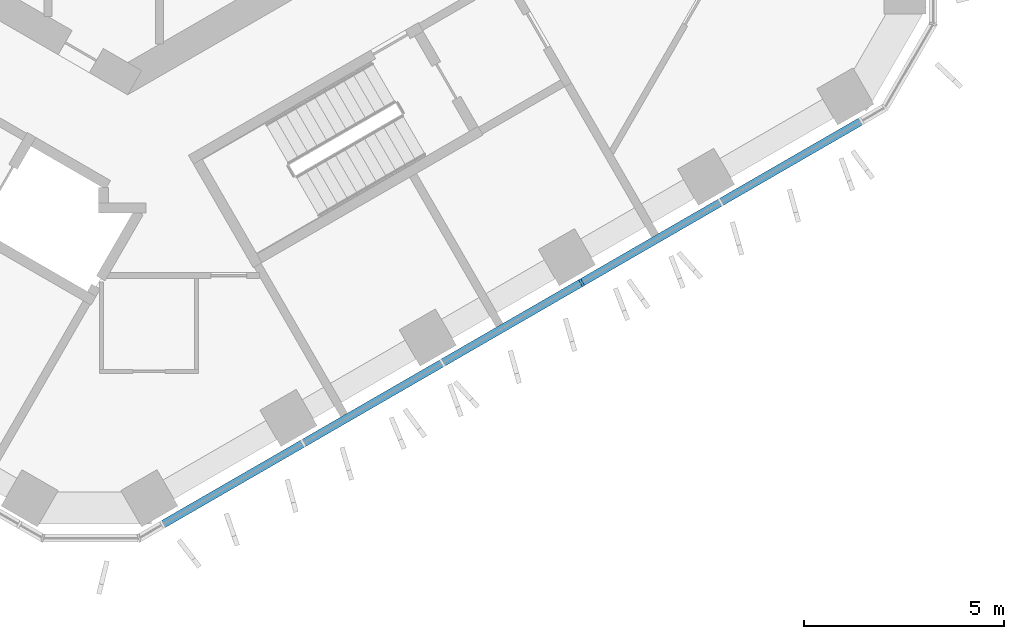
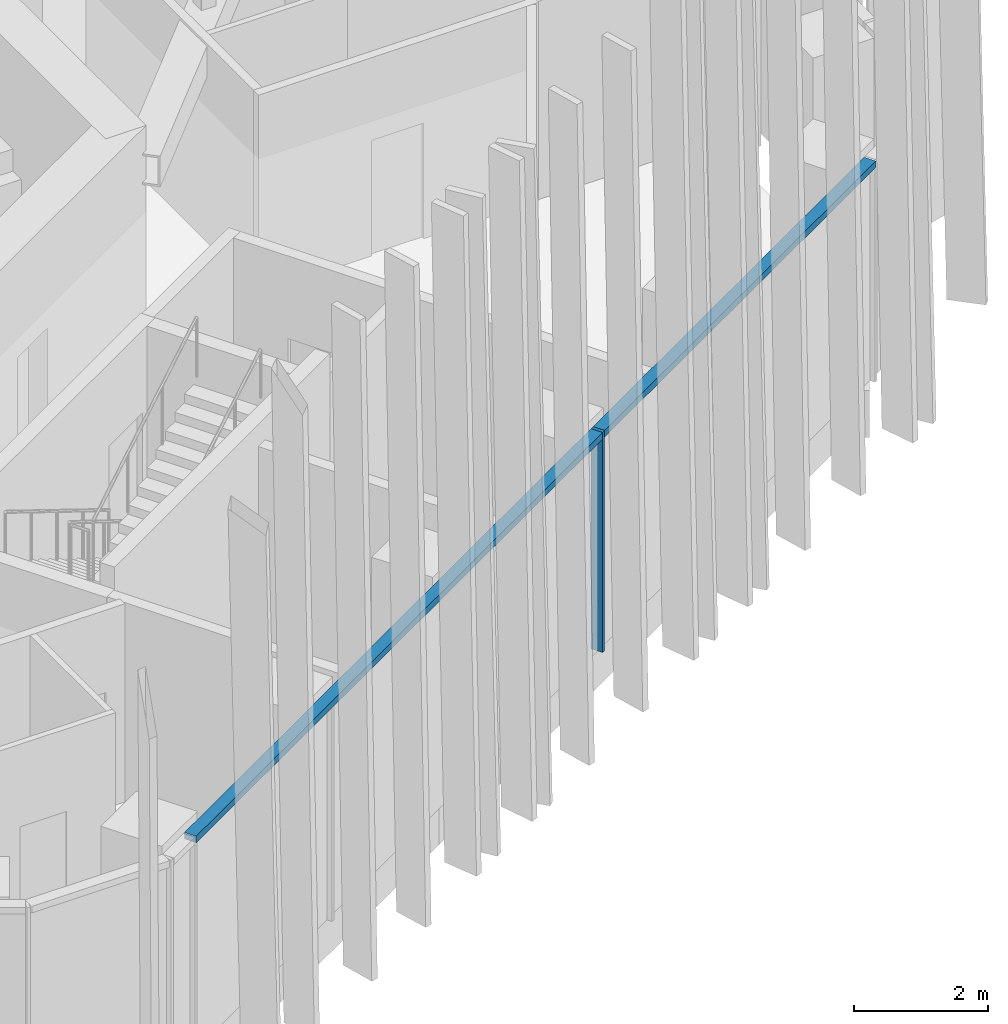
# One storey, part 3 of 31: 2 members, 1 element without a shape of its own.
"""IFC4 building model written with IfcOpenShell, lengths in metres."""

from ifc_helpers import new_model, si_unit, direction, frame, origin, origin_2d, place, context, subcontext, project, spatial, rectangle, extrude, material, layer, layer_set, material_profile, profile_set, type_object, element, aggregate, save


model = new_model("IFC4")

# Units and contexts
model_context = context("Model", 3, precision=1e-05, world=origin(), true_north=direction((0.0, 1.0)))
body_context = subcontext(model_context, "Body", "Model", "MODEL_VIEW")
ifc_project = project(units=[si_unit("LENGTHUNIT", "METRE"), si_unit("AREAUNIT", "SQUARE_METRE"), si_unit("VOLUMEUNIT", "CUBIC_METRE"), si_unit("PLANEANGLEUNIT", "RADIAN"), si_unit("MASSUNIT", "GRAM", prefix="KILO")], contexts=[model_context])

# Site, building, storey
site_placement = place(None, origin())
site = spatial("IfcSite", under=ifc_project, at=site_placement, CompositionType="ELEMENT")
building_placement = place(site_placement, origin())
building = spatial("IfcBuilding", under=site, at=building_placement, Name="Ayvan Gate Tower", CompositionType="ELEMENT")
storey_placement = place(building_placement, frame((0.0, 0.0, 135.89990234375)))
storey = spatial("IfcBuildingStorey", under=building, at=storey_placement, Name="L36", CompositionType="ELEMENT", Elevation=135.89990234375)

# Curtain wall, members
ifc_material = material(Name="Bronze anodised aluminium", Category="aluminium")
ifc_layer = layer(ifc_material, 0.199951171875)
ifc_layer_set = layer_set([ifc_layer], Name="Bronze anodised aluminium")
curtain_wall_type = type_object("IfcCurtainWallType", Name="Stick curtain wall CW-1", PredefinedType="NOTDEFINED", material=ifc_layer_set)
curtain_wall_placement = place(storey_placement, origin())
curtain_wall = element("IfcCurtainWall", 1, at=curtain_wall_placement, inside=storey, type_object=curtain_wall_type, Name="Stick curtain wall CW-1 L36", PredefinedType="NOTDEFINED")
ifc_material_profile_1 = material_profile(ifc_material, rectangle(XDim=0.199951171875, YDim=0.06005859375, at=origin_2d()), Name="Stick curtain wall CW-1 mullion 200 x 60")
ifc_profile_set_1 = profile_set([ifc_material_profile_1], Name="Bronze anodised aluminium")
member_type_1 = type_object("IfcMemberType", Name="Stick curtain wall CW-1 mullion 200 x 60", PredefinedType="MULLION", material=ifc_profile_set_1)
member_1_placement = place(storey_placement, frame((11.3759765625, -15.67626953125, 0.0), z_axis=(0.0, 0.0, 1.0), x_axis=(0.5, -0.866025403784, 0.0)))
member_1 = element("IfcMember", 2, at=member_1_placement, type_object=member_type_1, Name="CW-1 mullion 4", PredefinedType="MULLION", context=body_context, shape_type="SweptSolid", body=[
    extrude(rectangle(XDim=0.199951171875, YDim=0.06005859375, at=origin_2d()), origin(), (0.0, 0.0, 1.0), 4.0),
])
ifc_material_profile_2 = material_profile(ifc_material, rectangle(XDim=0.199951171875, YDim=0.1201171875, at=origin_2d()), Name="Stick curtain wall CW-1 transom 200 x 120")
ifc_profile_set_2 = profile_set([ifc_material_profile_2], Name="Bronze anodised aluminium")
member_type_2 = type_object("IfcMemberType", Name="Stick curtain wall CW-1 transom 200 x 120", PredefinedType="USERDEFINED", material=ifc_profile_set_2)
member_2_placement = place(storey_placement, frame((0.87451171875, -21.7392578125, 3.940185546875), z_axis=(0.866023760695, 0.500002845904, 0.0), x_axis=(-0.500002845904, 0.866023760695, 0.0)))
member_2 = element("IfcMember", 3, at=member_2_placement, type_object=member_type_2, Name="CW-1 transom 1", ObjectType="TRANSOM", PredefinedType="USERDEFINED", context=body_context, shape_type="SweptSolid", body=[
    extrude(rectangle(XDim=0.199951171875, YDim=0.1201171875, at=origin_2d()), origin(), (0.0, 0.0, 1.0), 20.224609375),
])
aggregate(curtain_wall, [member_1, member_2])

save(model, "model.ifc")
